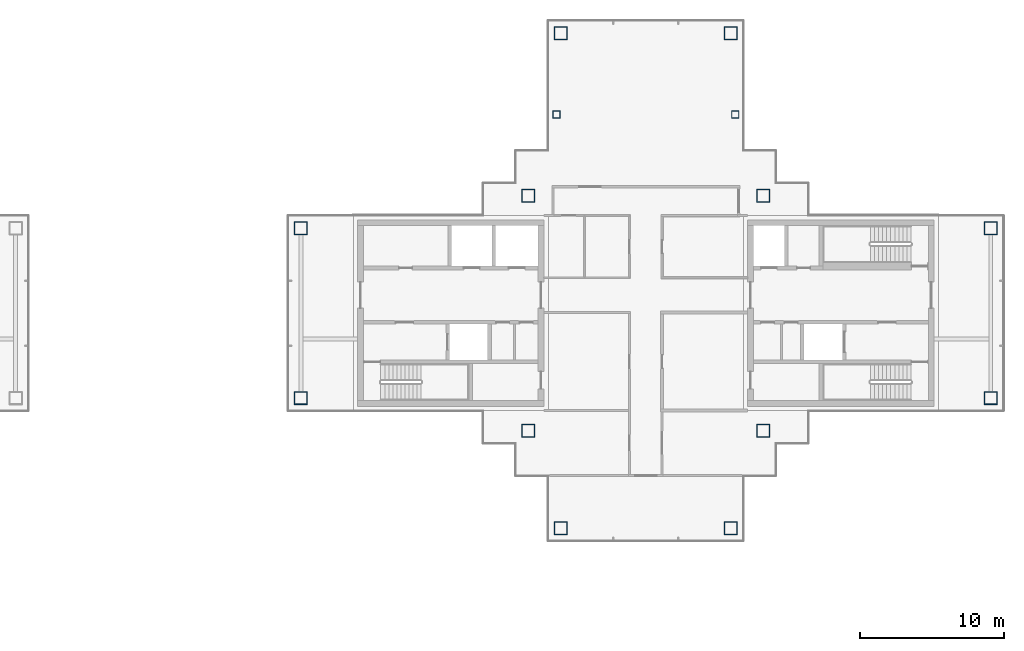
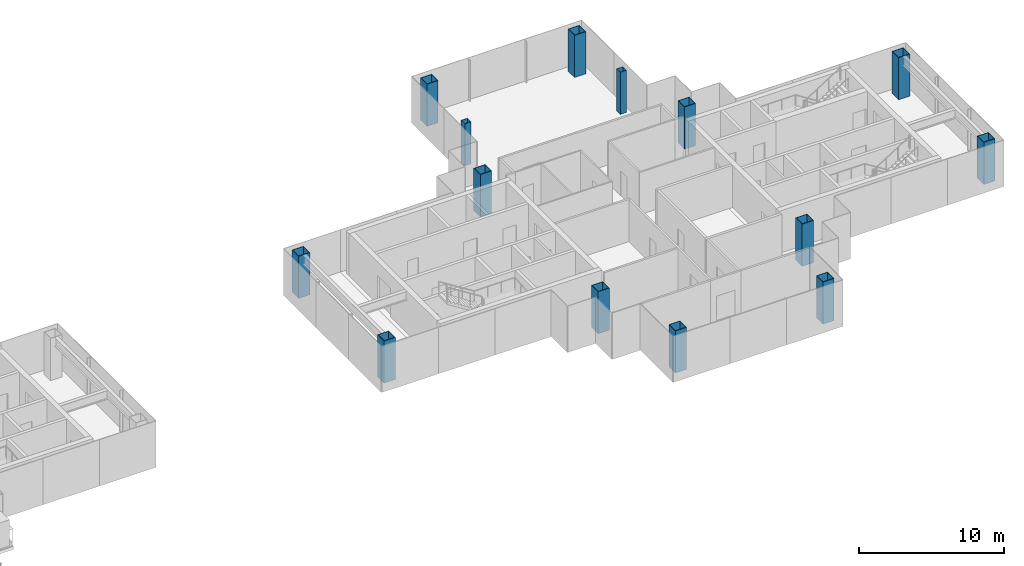
# One storey, part 2 of 16: 14 columns.
"""IFC4 building model written with IfcOpenShell, lengths in metres."""

from ifc_helpers import new_model, si_unit, direction, frame, origin, origin_2d, place, context, subcontext, project, spatial, hollow_rectangle, extrude, material, material_profile, profile_set, type_object, element, save


model = new_model("IFC4")

# Units and contexts
model_context = context("Model", 3, precision=1e-05, world=origin(), true_north=direction((0.0, 1.0)))
body_context = subcontext(model_context, "Body", "Model", "MODEL_VIEW")
ifc_project = project(units=[si_unit("LENGTHUNIT", "METRE"), si_unit("AREAUNIT", "SQUARE_METRE"), si_unit("VOLUMEUNIT", "CUBIC_METRE"), si_unit("PLANEANGLEUNIT", "RADIAN"), si_unit("MASSUNIT", "GRAM", prefix="KILO")], contexts=[model_context])

# Site, building, storey
site_placement = place(None, origin())
site = spatial("IfcSite", under=ifc_project, at=site_placement, CompositionType="ELEMENT")
building_placement = place(site_placement, origin())
building = spatial("IfcBuilding", under=site, at=building_placement, Name="Shamsa Quay Exchange Towers", CompositionType="ELEMENT")
storey_placement = place(building_placement, frame((0.0, 0.0, 265.5)))
storey = spatial("IfcBuildingStorey", under=building, at=storey_placement, Name="L64", CompositionType="ELEMENT", Elevation=265.5)

# Columns
ifc_material_1 = material(Name="Concrete-filled steel tube S355 / C60/75", Category="concrete")
ifc_material_profile_1 = material_profile(ifc_material_1, hollow_rectangle(XDim=0.5, YDim=0.5, WallThickness=0.01611328125, at=origin_2d()), Name="CFT 500x500x16")
ifc_profile_set_1 = profile_set([ifc_material_profile_1], Name="Concrete-filled steel tube S355 / C60/75")
column_type_1 = type_object("IfcColumnType", Name="Column CFT 500x500x16", PredefinedType="COLUMN", material=ifc_profile_set_1)
for number, where, name in (
    (1, (39.9375, 13.75, 0.0), "Perimeter column T2-CP05"),
    (2, (27.5625, 13.75, 0.0), "Perimeter column T2-CP09"),
):
    element("IfcColumn", number, at=place(storey_placement, frame(where)), inside=storey, type_object=column_type_1, Name=name, PredefinedType="COLUMN", context=body_context, shape_type="SweptSolid", body=[
        extrude(hollow_rectangle(XDim=0.5, YDim=0.5, WallThickness=0.01611328125, at=origin_2d()), origin(), (0.0, 0.0, 1.0), 3.550048828125),
    ])
ifc_material_2 = material(Name="Concrete-filled steel tube S355 / C80/95", Category="concrete")
ifc_material_profile_2 = material_profile(ifc_material_2, hollow_rectangle(XDim=0.89990234375, YDim=0.89990234375, WallThickness=0.035888671875, at=origin_2d()), Name="CFT 900x900x36")
ifc_profile_set_2 = profile_set([ifc_material_profile_2], Name="Concrete-filled steel tube S355 / C80/95")
column_type_2 = type_object("IfcColumnType", Name="Column CFT 900x900x36", PredefinedType="COLUMN", material=ifc_profile_set_2)
for number, where, name in (
    (3, (25.625, 8.125, 0.0), "Mega column T2-CM01"),
    (4, (41.875, 8.125, 0.0), "Mega column T2-CM02"),
    (5, (25.625, -8.125, 0.0), "Mega column T2-CM03"),
    (6, (41.875, -8.125, 0.0), "Mega column T2-CM04"),
    (7, (39.625, 19.375, 0.0), "Mega column T2-CM06"),
    (8, (27.875, 19.375, 0.0), "Mega column T2-CM10"),
    (9, (39.625, -14.875, 0.0), "Mega column T2-CM13"),
    (10, (27.875, -14.875, 0.0), "Mega column T2-CM16"),
    (11, (9.875, -5.875, 0.0), "Mega column T2-CM19"),
    (12, (9.875, 5.875, 0.0), "Mega column T2-CM20"),
    (13, (57.625, -5.875, 0.0), "Mega column T2-CM21"),
    (14, (57.625, 5.875, 0.0), "Mega column T2-CM23"),
):
    element("IfcColumn", number, at=place(storey_placement, frame(where)), inside=storey, type_object=column_type_2, Name=name, PredefinedType="COLUMN", context=body_context, shape_type="SweptSolid", body=[
        extrude(hollow_rectangle(XDim=0.89990234375, YDim=0.89990234375, WallThickness=0.035888671875, at=origin_2d()), origin(), (0.0, 0.0, 1.0), 3.550048828125),
    ])

save(model, "model.ifc")
